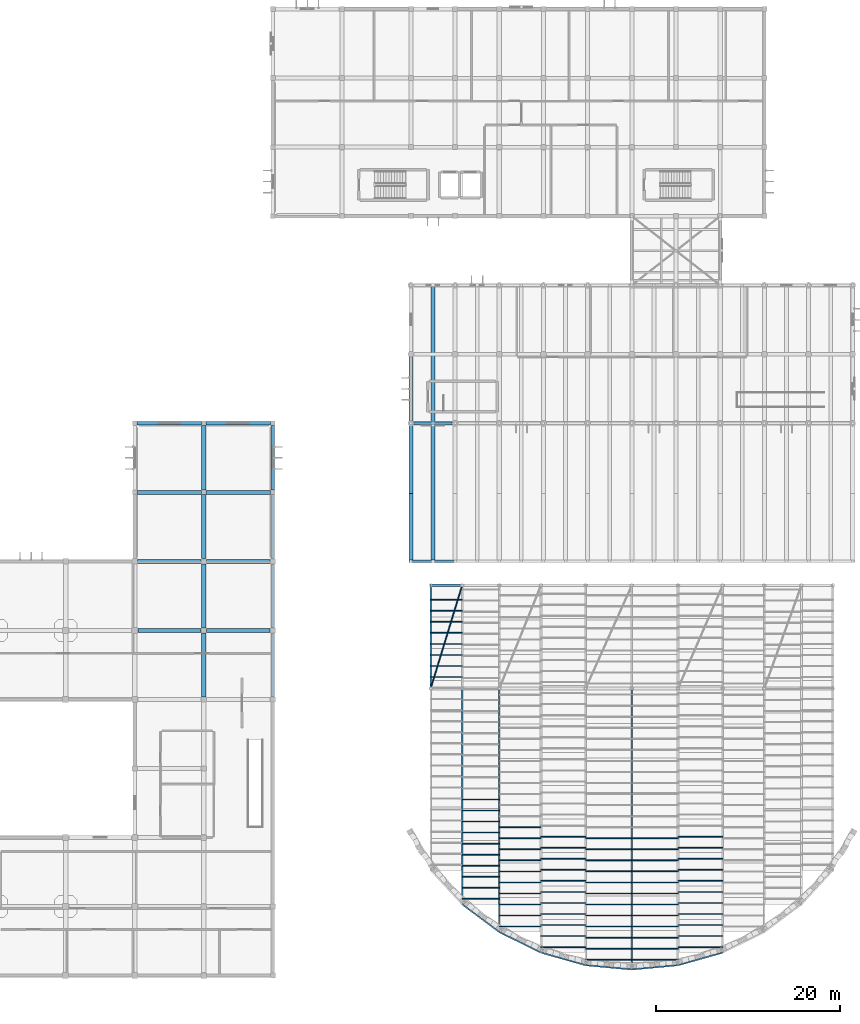
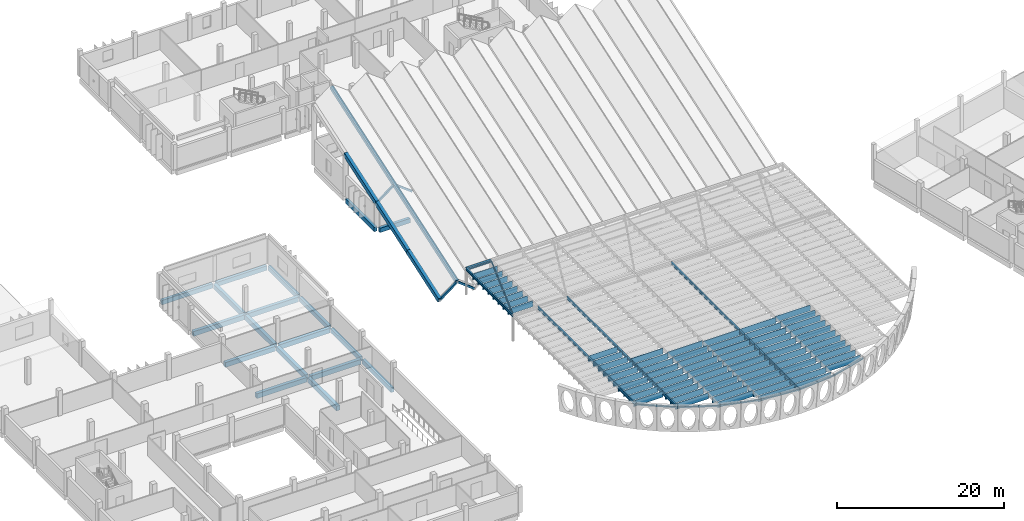
# One storey, part 13 of 47: 85 members, 27 beams.
"""IFC4 building model written with IfcOpenShell, lengths in metres."""

from ifc_helpers import new_model, si_unit, direction, frame, origin, origin_2d, place, context, subcontext, project, spatial, rectangle, hollow_rectangle, hollow_circle, i_section, extrude, material, material_profile, profile_set, type_object, element, save


model = new_model("IFC4")

# Units and contexts
model_context = context("Model", 3, precision=1e-05, world=origin(), true_north=direction((0.0, 1.0)))
body_context = subcontext(model_context, "Body", "Model", "MODEL_VIEW")
ifc_project = project(units=[si_unit("LENGTHUNIT", "METRE"), si_unit("AREAUNIT", "SQUARE_METRE"), si_unit("VOLUMEUNIT", "CUBIC_METRE"), si_unit("PLANEANGLEUNIT", "RADIAN"), si_unit("MASSUNIT", "GRAM", prefix="KILO")], contexts=[model_context])

# Site, building, storey
site_placement = place(None, origin())
site = spatial("IfcSite", under=ifc_project, at=site_placement, CompositionType="ELEMENT")
building_placement = place(site_placement, origin())
building = spatial("IfcBuilding", under=site, at=building_placement, Name="Mawjan Specialist Oncology Clinic", CompositionType="ELEMENT")
storey_placement = place(building_placement, frame((0.0, 0.0, 9.5)))
storey = spatial("IfcBuildingStorey", under=building, at=storey_placement, Name="L02", CompositionType="ELEMENT", Elevation=9.5)

# Beams
ifc_material_1 = material(Name="Concrete C40/50", Category="concrete")
ifc_material_profile_1 = material_profile(ifc_material_1, rectangle(XDim=0.449951171875, YDim=0.699951171875, at=origin_2d()), Name="RC BM 450x700", Category="concrete")
ifc_profile_set_1 = profile_set([ifc_material_profile_1], Name="Concrete C40/50")
beam_type_1 = type_object("IfcBeamType", Name="BM-450x700", PredefinedType="BEAM", material=ifc_profile_set_1)
beam_1_placement = place(storey_placement, frame((30.3349609375, 38.300048828125, -0.64990234375), z_axis=(1.0, 0.0, 0.0), x_axis=(0.0, 1.0, 0.0)))
element("IfcBeam", 1, at=beam_1_placement, inside=storey, type_object=beam_type_1, Name="L02 Collector Beam BM-L02-0666", PredefinedType="BEAM", context=body_context, shape_type="SweptSolid", body=[
    extrude(rectangle(XDim=0.449951171875, YDim=0.699951171875, at=origin_2d()), origin(), (0.0, 0.0, 1.0), 6.880126953125),
])
beam_2_placement = place(storey_placement, frame((37.784912109375, 38.300048828125, -0.64990234375), z_axis=(1.0, 0.0, 0.0), x_axis=(0.0, 1.0, 0.0)))
element("IfcBeam", 2, at=beam_2_placement, inside=storey, type_object=beam_type_1, Name="L02 Collector Beam BM-L02-0667", PredefinedType="BEAM", context=body_context, shape_type="SweptSolid", body=[
    extrude(rectangle(XDim=0.449951171875, YDim=0.699951171875, at=origin_2d()), origin(), (0.0, 0.0, 1.0), 6.93017578125),
])
beam_3_placement = place(storey_placement, frame((30.31005859375, 45.800048828125, -0.64990234375), z_axis=(1.0, 0.0, 0.0), x_axis=(0.0, 1.0, 0.0)))
element("IfcBeam", 3, at=beam_3_placement, inside=storey, type_object=beam_type_1, Name="L02 Collector Beam BM-L02-0672", PredefinedType="BEAM", context=body_context, shape_type="SweptSolid", body=[
    extrude(rectangle(XDim=0.449951171875, YDim=0.699951171875, at=origin_2d()), origin(), (0.0, 0.0, 1.0), 6.905029296875),
])
beam_4_placement = place(storey_placement, frame((37.784912109375, 45.800048828125, -0.64990234375), z_axis=(1.0, 0.0, 0.0), x_axis=(0.0, 1.0, 0.0)))
element("IfcBeam", 4, at=beam_4_placement, inside=storey, type_object=beam_type_1, Name="L02 Collector Beam BM-L02-0673", PredefinedType="BEAM", context=body_context, shape_type="SweptSolid", body=[
    extrude(rectangle(XDim=0.449951171875, YDim=0.699951171875, at=origin_2d()), origin(), (0.0, 0.0, 1.0), 6.93017578125),
])
for number, where, z_axis, x_axis, name in (
    (5, (30.260009765625, 53.300048828125, -0.64990234375), (1.0, 0.0, 0.0), (0.0, 1.0, 0.0), "L02 Collector Beam BM-L02-0676"),
    (6, (37.760009765625, 53.300048828125, -0.64990234375), (1.0, 0.0, 0.0), (0.0, 1.0, 0.0), "L02 Collector Beam BM-L02-0677"),
):
    element("IfcBeam", number, at=place(storey_placement, frame(where, z_axis=z_axis, x_axis=x_axis)), inside=storey, type_object=beam_type_1, Name=name, PredefinedType="BEAM", context=body_context, shape_type="SweptSolid", body=[
        extrude(rectangle(XDim=0.449951171875, YDim=0.699951171875, at=origin_2d()), origin(), (0.0, 0.0, 1.0), 6.97998046875),
    ])
for number, where, z_axis, x_axis, name in (
    (7, (37.5, 31.0849609375, -0.64990234375), (0.0, 1.0, 0.0), (-1.0, 0.0, 0.0), "L02 Collector Beam BM-L02-0793"),
    (8, (37.5, 38.5849609375, -0.64990234375), (0.0, 1.0, 0.0), (-1.0, 0.0, 0.0), "L02 Collector Beam BM-L02-0794"),
):
    element("IfcBeam", number, at=place(storey_placement, frame(where, z_axis=z_axis, x_axis=x_axis)), inside=storey, type_object=beam_type_1, Name=name, PredefinedType="BEAM", context=body_context, shape_type="SweptSolid", body=[
        extrude(rectangle(XDim=0.449951171875, YDim=0.699951171875, at=origin_2d()), origin(), (0.0, 0.0, 1.0), 6.929931640625),
    ])
beam_5_placement = place(storey_placement, frame((37.5, 46.0849609375, -0.64990234375), z_axis=(0.0, 1.0, 0.0), x_axis=(-1.0, 0.0, 0.0)))
element("IfcBeam", 9, at=beam_5_placement, inside=storey, type_object=beam_type_1, Name="L02 Collector Beam BM-L02-0795", PredefinedType="BEAM", context=body_context, shape_type="SweptSolid", body=[
    extrude(rectangle(XDim=0.449951171875, YDim=0.699951171875, at=origin_2d()), origin(), (0.0, 0.0, 1.0), 6.955078125),
])
beam_6_placement = place(storey_placement, frame((37.5, 53.56005859375, -0.64990234375), z_axis=(0.0, 1.0, 0.0), x_axis=(-1.0, 0.0, 0.0)))
element("IfcBeam", 10, at=beam_6_placement, inside=storey, type_object=beam_type_1, Name="L02 Collector Beam BM-L02-0796", PredefinedType="BEAM", context=body_context, shape_type="SweptSolid", body=[
    extrude(rectangle(XDim=0.449951171875, YDim=0.699951171875, at=origin_2d()), origin(), (0.0, 0.0, 1.0), 6.97998046875),
])

# Members
ifc_material_2 = material(Name="Structural steel S355", Category="steel")
ifc_material_profile_2 = material_profile(ifc_material_2, hollow_circle(Radius=0.084228515625, WallThickness=0.008056640625, at=origin_2d()), Name="CHS 168.3x8", Category="steel")
ifc_profile_set_2 = profile_set([ifc_material_profile_2], Name="Structural steel S355")
member_type_1 = type_object("IfcMemberType", Name="BR-168", PredefinedType="BRACE", material=ifc_profile_set_2)
member_1_placement = place(storey_placement, frame((62.152587890625, 32.0, 3.77490234375), z_axis=(0.292116311632, 0.956382800179, 0.0), x_axis=(-0.956382800179, 0.292116311632, 0.0)))
element("IfcMember", 11, at=member_1_placement, inside=storey, type_object=member_type_1, Name="Canopy Wind Brace CB-01", PredefinedType="BRACE", context=body_context, shape_type="SweptSolid", body=[
    extrude(hollow_circle(Radius=0.084228515625, WallThickness=0.008056640625, at=origin_2d()), origin(), (0.0, 0.0, 1.0), 11.710693359375),
])
ifc_material_3 = material(Name="Structural steel S355", Category="steel")
ifc_material_profile_3 = material_profile(ifc_material_3, hollow_rectangle(XDim=0.14990234375, YDim=0.25, WallThickness=0.010009765625, at=origin_2d()), Name="RHS 250x150x10", Category="steel")
ifc_profile_set_3 = profile_set([ifc_material_profile_3], Name="Structural steel S355")
member_type_2 = type_object("IfcMemberType", Name="CH-RHS250", PredefinedType="CHORD", material=ifc_profile_set_3)
member_2_placement = place(storey_placement, frame((65.573486328125, 8.53515625, 3.77490234375), z_axis=(0.801236557809, -0.598347706965, 0.0), x_axis=(0.598347706965, 0.801236557809, 0.0)))
element("IfcMember", 12, at=member_2_placement, inside=storey, type_object=member_type_2, Name="Canopy Edge Tie Chord MEM-CAN-CH-002", PredefinedType="CHORD", context=body_context, shape_type="SweptSolid", body=[
    extrude(hollow_rectangle(XDim=0.14990234375, YDim=0.25, WallThickness=0.010009765625, at=origin_2d()), origin(), (0.0, 0.0, 1.0), 5.03955078125),
])
member_3_placement = place(storey_placement, frame((69.611328125, 5.519775390625, 3.77490234375), z_axis=(0.896884296157, -0.442265258987, 0.0), x_axis=(0.442265258987, 0.896884296157, 0.0)))
element("IfcMember", 13, at=member_3_placement, inside=storey, type_object=member_type_2, Name="Canopy Edge Tie Chord MEM-CAN-CH-003", PredefinedType="CHORD", context=body_context, shape_type="SweptSolid", body=[
    extrude(hollow_rectangle(XDim=0.14990234375, YDim=0.25, WallThickness=0.010009765625, at=origin_2d()), origin(), (0.0, 0.0, 1.0), 5.039306640625),
])
member_4_placement = place(storey_placement, frame((74.131103515625, 3.291015625, 3.77490234375), z_axis=(0.962459735596, -0.271424496605, 0.0), x_axis=(0.271424496605, 0.962459735596, 0.0)))
element("IfcMember", 14, at=member_4_placement, inside=storey, type_object=member_type_2, Name="Canopy Edge Tie Chord MEM-CAN-CH-004", PredefinedType="CHORD", context=body_context, shape_type="SweptSolid", body=[
    extrude(hollow_rectangle(XDim=0.14990234375, YDim=0.25, WallThickness=0.010009765625, at=origin_2d()), origin(), (0.0, 0.0, 1.0), 5.039794921875),
])
for number, where, z_axis, x_axis, name in (
    (15, (78.981689453125, 1.923095703125, 3.77490234375), (0.995803776117, -0.091514149019, 0.0), (0.091514149019, 0.995803776117, 0.0), "Canopy Edge Tie Chord MEM-CAN-CH-005"),
    (16, (84.0, 1.4619140625, 3.77490234375), (0.995803776117, 0.091514149019, 0.0), (-0.091514149019, 0.995803776117, 0.0), "Canopy Edge Tie Chord MEM-CAN-CH-006"),
):
    element("IfcMember", number, at=place(storey_placement, frame(where, z_axis=z_axis, x_axis=x_axis)), inside=storey, type_object=member_type_2, Name=name, PredefinedType="CHORD", context=body_context, shape_type="SweptSolid", body=[
        extrude(hollow_rectangle(XDim=0.14990234375, YDim=0.25, WallThickness=0.010009765625, at=origin_2d()), origin(), (0.0, 0.0, 1.0), 5.03955078125),
    ])
member_5_placement = place(storey_placement, frame((89.018310546875, 1.923095703125, 3.77490234375), z_axis=(0.962459735596, 0.271424496605, 0.0), x_axis=(-0.271424496605, 0.962459735596, 0.0)))
element("IfcMember", 17, at=member_5_placement, inside=storey, type_object=member_type_2, Name="Canopy Edge Tie Chord MEM-CAN-CH-007", PredefinedType="CHORD", context=body_context, shape_type="SweptSolid", body=[
    extrude(hollow_rectangle(XDim=0.14990234375, YDim=0.25, WallThickness=0.010009765625, at=origin_2d()), origin(), (0.0, 0.0, 1.0), 5.039794921875),
])
ifc_material_4 = material(Name="Structural steel S355", Category="steel")
ifc_material_profile_4 = material_profile(ifc_material_4, hollow_rectangle(XDim=0.080078125, YDim=0.85009765625, WallThickness=0.006103515625, at=origin_2d()), Name="LOUVRE 850x80x6", Category="steel")
ifc_profile_set_4 = profile_set([ifc_material_profile_4], Name="Structural steel S355")
member_type_3 = type_object("IfcMemberType", Name="LV-850", PredefinedType="PURLIN", material=ifc_profile_set_4)
for number, where, z_axis, x_axis, name in (
    (18, (62.152587890625, 33.23583984375, 3.47509765625), (1.0, 0.0, 0.0), (0.0, 1.0, 0.0), "Canopy Solar Louvre Blade LV-0018"),
    (19, (62.152587890625, 34.435791015625, 3.47509765625), (1.0, 0.0, 0.0), (0.0, 1.0, 0.0), "Canopy Solar Louvre Blade LV-0019"),
    (20, (62.152587890625, 35.6357421875, 3.47509765625), (1.0, 0.0, 0.0), (0.0, 1.0, 0.0), "Canopy Solar Louvre Blade LV-0020"),
    (21, (62.152587890625, 36.8359375, 3.47509765625), (1.0, 0.0, 0.0), (0.0, 1.0, 0.0), "Canopy Solar Louvre Blade LV-0021"),
    (22, (62.152587890625, 38.035888671875, 3.47509765625), (1.0, 0.0, 0.0), (0.0, 1.0, 0.0), "Canopy Solar Louvre Blade LV-0022"),
    (23, (62.152587890625, 39.23583984375, 3.47509765625), (1.0, 0.0, 0.0), (0.0, 1.0, 0.0), "Canopy Solar Louvre Blade LV-0023"),
    (24, (62.152587890625, 40.435791015625, 3.47509765625), (1.0, 0.0, 0.0), (0.0, 1.0, 0.0), "Canopy Solar Louvre Blade LV-0024"),
    (25, (62.152587890625, 41.6357421875, 3.47509765625), (1.0, 0.0, 0.0), (0.0, 1.0, 0.0), "Canopy Solar Louvre Blade LV-0025"),
):
    element("IfcMember", number, at=place(storey_placement, frame(where, z_axis=z_axis, x_axis=x_axis)), inside=storey, type_object=member_type_3, Name=name, PredefinedType="PURLIN", context=body_context, shape_type="SweptSolid", body=[
        extrude(hollow_rectangle(XDim=0.080078125, YDim=0.85009765625, WallThickness=0.006103515625, at=origin_2d()), origin(), (0.0, 0.0, 1.0), 3.4208984375),
    ])
for number, where, z_axis, x_axis, name in (
    (26, (65.573486328125, 9.13525390625, 3.47509765625), (1.0, 0.0, 0.0), (0.0, 1.0, 0.0), "Canopy Solar Louvre Blade LV-0026"),
    (27, (65.573486328125, 10.335205078125, 3.47509765625), (1.0, 0.0, 0.0), (0.0, 1.0, 0.0), "Canopy Solar Louvre Blade LV-0027"),
    (28, (65.573486328125, 11.53515625, 3.47509765625), (1.0, 0.0, 0.0), (0.0, 1.0, 0.0), "Canopy Solar Louvre Blade LV-0028"),
    (29, (65.573486328125, 12.735107421875, 3.47509765625), (1.0, 0.0, 0.0), (0.0, 1.0, 0.0), "Canopy Solar Louvre Blade LV-0029"),
    (30, (65.573486328125, 13.935302734375, 3.47509765625), (1.0, 0.0, 0.0), (0.0, 1.0, 0.0), "Canopy Solar Louvre Blade LV-0030"),
    (31, (65.573486328125, 15.13525390625, 3.47509765625), (1.0, 0.0, 0.0), (0.0, 1.0, 0.0), "Canopy Solar Louvre Blade LV-0031"),
    (32, (65.573486328125, 16.335205078125, 3.47509765625), (1.0, 0.0, 0.0), (0.0, 1.0, 0.0), "Canopy Solar Louvre Blade LV-0032"),
    (33, (65.573486328125, 17.53515625, 3.47509765625), (1.0, 0.0, 0.0), (0.0, 1.0, 0.0), "Canopy Solar Louvre Blade LV-0033"),
    (34, (65.573486328125, 18.735107421875, 3.47509765625), (1.0, 0.0, 0.0), (0.0, 1.0, 0.0), "Canopy Solar Louvre Blade LV-0034"),
    (35, (65.573486328125, 19.935302734375, 3.47509765625), (1.0, 0.0, 0.0), (0.0, 1.0, 0.0), "Canopy Solar Louvre Blade LV-0035"),
):
    element("IfcMember", number, at=place(storey_placement, frame(where, z_axis=z_axis, x_axis=x_axis)), inside=storey, type_object=member_type_3, Name=name, PredefinedType="PURLIN", context=body_context, shape_type="SweptSolid", body=[
        extrude(hollow_rectangle(XDim=0.080078125, YDim=0.85009765625, WallThickness=0.006103515625, at=origin_2d()), origin(), (0.0, 0.0, 1.0), 4.037841796875),
    ])
for number, where, z_axis, x_axis, name in (
    (36, (69.611328125, 6.119873046875, 3.47509765625), (1.0, 0.0, 0.0), (0.0, 1.0, 0.0), "Canopy Solar Louvre Blade LV-0055"),
    (37, (69.611328125, 7.31982421875, 3.47509765625), (1.0, 0.0, 0.0), (0.0, 1.0, 0.0), "Canopy Solar Louvre Blade LV-0056"),
    (38, (69.611328125, 8.519775390625, 3.47509765625), (1.0, 0.0, 0.0), (0.0, 1.0, 0.0), "Canopy Solar Louvre Blade LV-0057"),
    (39, (69.611328125, 9.719970703125, 3.47509765625), (1.0, 0.0, 0.0), (0.0, 1.0, 0.0), "Canopy Solar Louvre Blade LV-0058"),
    (40, (69.611328125, 10.919921875, 3.47509765625), (1.0, 0.0, 0.0), (0.0, 1.0, 0.0), "Canopy Solar Louvre Blade LV-0059"),
    (41, (69.611328125, 12.119873046875, 3.47509765625), (1.0, 0.0, 0.0), (0.0, 1.0, 0.0), "Canopy Solar Louvre Blade LV-0060"),
    (42, (69.611328125, 13.31982421875, 3.47509765625), (1.0, 0.0, 0.0), (0.0, 1.0, 0.0), "Canopy Solar Louvre Blade LV-0061"),
    (43, (69.611328125, 14.519775390625, 3.47509765625), (1.0, 0.0, 0.0), (0.0, 1.0, 0.0), "Canopy Solar Louvre Blade LV-0062"),
    (44, (69.611328125, 15.719970703125, 3.47509765625), (1.0, 0.0, 0.0), (0.0, 1.0, 0.0), "Canopy Solar Louvre Blade LV-0063"),
    (45, (69.611328125, 16.919921875, 3.47509765625), (1.0, 0.0, 0.0), (0.0, 1.0, 0.0), "Canopy Solar Louvre Blade LV-0064"),
):
    element("IfcMember", number, at=place(storey_placement, frame(where, z_axis=z_axis, x_axis=x_axis)), inside=storey, type_object=member_type_3, Name=name, PredefinedType="PURLIN", context=body_context, shape_type="SweptSolid", body=[
        extrude(hollow_rectangle(XDim=0.080078125, YDim=0.85009765625, WallThickness=0.006103515625, at=origin_2d()), origin(), (0.0, 0.0, 1.0), 4.519775390625),
    ])
for number, where, z_axis, x_axis, name in (
    (46, (74.131103515625, 3.890869140625, 3.47509765625), (1.0, 0.0, 0.0), (0.0, 1.0, 0.0), "Canopy Solar Louvre Blade LV-0086"),
    (47, (74.131103515625, 5.0908203125, 3.47509765625), (1.0, 0.0, 0.0), (0.0, 1.0, 0.0), "Canopy Solar Louvre Blade LV-0087"),
    (48, (74.131103515625, 6.291015625, 3.47509765625), (1.0, 0.0, 0.0), (0.0, 1.0, 0.0), "Canopy Solar Louvre Blade LV-0088"),
    (49, (74.131103515625, 7.490966796875, 3.47509765625), (1.0, 0.0, 0.0), (0.0, 1.0, 0.0), "Canopy Solar Louvre Blade LV-0089"),
    (50, (74.131103515625, 8.69091796875, 3.47509765625), (1.0, 0.0, 0.0), (0.0, 1.0, 0.0), "Canopy Solar Louvre Blade LV-0090"),
    (51, (74.131103515625, 9.890869140625, 3.47509765625), (1.0, 0.0, 0.0), (0.0, 1.0, 0.0), "Canopy Solar Louvre Blade LV-0091"),
    (52, (74.131103515625, 11.0908203125, 3.47509765625), (1.0, 0.0, 0.0), (0.0, 1.0, 0.0), "Canopy Solar Louvre Blade LV-0092"),
    (53, (74.131103515625, 12.291015625, 3.47509765625), (1.0, 0.0, 0.0), (0.0, 1.0, 0.0), "Canopy Solar Louvre Blade LV-0093"),
    (54, (74.131103515625, 13.490966796875, 3.47509765625), (1.0, 0.0, 0.0), (0.0, 1.0, 0.0), "Canopy Solar Louvre Blade LV-0094"),
    (55, (74.131103515625, 14.69091796875, 3.47509765625), (1.0, 0.0, 0.0), (0.0, 1.0, 0.0), "Canopy Solar Louvre Blade LV-0095"),
    (56, (74.131103515625, 15.890869140625, 3.47509765625), (1.0, 0.0, 0.0), (0.0, 1.0, 0.0), "Canopy Solar Louvre Blade LV-0096"),
):
    element("IfcMember", number, at=place(storey_placement, frame(where, z_axis=z_axis, x_axis=x_axis)), inside=storey, type_object=member_type_3, Name=name, PredefinedType="PURLIN", context=body_context, shape_type="SweptSolid", body=[
        extrude(hollow_rectangle(XDim=0.080078125, YDim=0.85009765625, WallThickness=0.006103515625, at=origin_2d()), origin(), (0.0, 0.0, 1.0), 4.8505859375),
    ])
for number, where, z_axis, x_axis, name in (
    (57, (78.981689453125, 2.52294921875, 3.47509765625), (1.0, 0.0, 0.0), (0.0, 1.0, 0.0), "Canopy Solar Louvre Blade LV-0119"),
    (58, (78.981689453125, 3.722900390625, 3.47509765625), (1.0, 0.0, 0.0), (0.0, 1.0, 0.0), "Canopy Solar Louvre Blade LV-0120"),
    (59, (78.981689453125, 4.923095703125, 3.47509765625), (1.0, 0.0, 0.0), (0.0, 1.0, 0.0), "Canopy Solar Louvre Blade LV-0121"),
    (60, (78.981689453125, 6.123046875, 3.47509765625), (1.0, 0.0, 0.0), (0.0, 1.0, 0.0), "Canopy Solar Louvre Blade LV-0122"),
    (61, (78.981689453125, 7.322998046875, 3.47509765625), (1.0, 0.0, 0.0), (0.0, 1.0, 0.0), "Canopy Solar Louvre Blade LV-0123"),
    (62, (78.981689453125, 8.52294921875, 3.47509765625), (1.0, 0.0, 0.0), (0.0, 1.0, 0.0), "Canopy Solar Louvre Blade LV-0124"),
    (63, (78.981689453125, 9.722900390625, 3.47509765625), (1.0, 0.0, 0.0), (0.0, 1.0, 0.0), "Canopy Solar Louvre Blade LV-0125"),
    (64, (78.981689453125, 10.923095703125, 3.47509765625), (1.0, 0.0, 0.0), (0.0, 1.0, 0.0), "Canopy Solar Louvre Blade LV-0126"),
    (65, (78.981689453125, 12.123046875, 3.47509765625), (1.0, 0.0, 0.0), (0.0, 1.0, 0.0), "Canopy Solar Louvre Blade LV-0127"),
    (66, (78.981689453125, 13.322998046875, 3.47509765625), (1.0, 0.0, 0.0), (0.0, 1.0, 0.0), "Canopy Solar Louvre Blade LV-0128"),
    (67, (78.981689453125, 14.52294921875, 3.47509765625), (1.0, 0.0, 0.0), (0.0, 1.0, 0.0), "Canopy Solar Louvre Blade LV-0129"),
    (68, (78.981689453125, 15.722900390625, 3.47509765625), (1.0, 0.0, 0.0), (0.0, 1.0, 0.0), "Canopy Solar Louvre Blade LV-0130"),
    (69, (84.0, 2.52294921875, 3.47509765625), (1.0, 0.0, 0.0), (0.0, 1.0, 0.0), "Canopy Solar Louvre Blade LV-0153"),
    (70, (84.0, 3.722900390625, 3.47509765625), (1.0, 0.0, 0.0), (0.0, 1.0, 0.0), "Canopy Solar Louvre Blade LV-0154"),
    (71, (84.0, 4.923095703125, 3.47509765625), (1.0, 0.0, 0.0), (0.0, 1.0, 0.0), "Canopy Solar Louvre Blade LV-0155"),
    (72, (84.0, 6.123046875, 3.47509765625), (1.0, 0.0, 0.0), (0.0, 1.0, 0.0), "Canopy Solar Louvre Blade LV-0156"),
    (73, (84.0, 7.322998046875, 3.47509765625), (1.0, 0.0, 0.0), (0.0, 1.0, 0.0), "Canopy Solar Louvre Blade LV-0157"),
    (74, (84.0, 8.52294921875, 3.47509765625), (1.0, 0.0, 0.0), (0.0, 1.0, 0.0), "Canopy Solar Louvre Blade LV-0158"),
    (75, (84.0, 9.722900390625, 3.47509765625), (1.0, 0.0, 0.0), (0.0, 1.0, 0.0), "Canopy Solar Louvre Blade LV-0159"),
    (76, (84.0, 10.923095703125, 3.47509765625), (1.0, 0.0, 0.0), (0.0, 1.0, 0.0), "Canopy Solar Louvre Blade LV-0160"),
    (77, (84.0, 12.123046875, 3.47509765625), (1.0, 0.0, 0.0), (0.0, 1.0, 0.0), "Canopy Solar Louvre Blade LV-0161"),
    (78, (84.0, 13.322998046875, 3.47509765625), (1.0, 0.0, 0.0), (0.0, 1.0, 0.0), "Canopy Solar Louvre Blade LV-0162"),
    (79, (84.0, 14.52294921875, 3.47509765625), (1.0, 0.0, 0.0), (0.0, 1.0, 0.0), "Canopy Solar Louvre Blade LV-0163"),
    (80, (84.0, 15.722900390625, 3.47509765625), (1.0, 0.0, 0.0), (0.0, 1.0, 0.0), "Canopy Solar Louvre Blade LV-0164"),
):
    element("IfcMember", number, at=place(storey_placement, frame(where, z_axis=z_axis, x_axis=x_axis)), inside=storey, type_object=member_type_3, Name=name, PredefinedType="PURLIN", context=body_context, shape_type="SweptSolid", body=[
        extrude(hollow_rectangle(XDim=0.080078125, YDim=0.85009765625, WallThickness=0.006103515625, at=origin_2d()), origin(), (0.0, 0.0, 1.0), 5.018310546875),
    ])
for number, where, z_axis, x_axis, name in (
    (81, (89.018310546875, 3.890869140625, 3.47509765625), (1.0, 0.0, 0.0), (0.0, 1.0, 0.0), "Canopy Solar Louvre Blade LV-0187"),
    (82, (89.018310546875, 5.0908203125, 3.47509765625), (1.0, 0.0, 0.0), (0.0, 1.0, 0.0), "Canopy Solar Louvre Blade LV-0188"),
    (83, (89.018310546875, 6.291015625, 3.47509765625), (1.0, 0.0, 0.0), (0.0, 1.0, 0.0), "Canopy Solar Louvre Blade LV-0189"),
    (84, (89.018310546875, 7.490966796875, 3.47509765625), (1.0, 0.0, 0.0), (0.0, 1.0, 0.0), "Canopy Solar Louvre Blade LV-0190"),
    (85, (89.018310546875, 8.69091796875, 3.47509765625), (1.0, 0.0, 0.0), (0.0, 1.0, 0.0), "Canopy Solar Louvre Blade LV-0191"),
    (86, (89.018310546875, 9.890869140625, 3.47509765625), (1.0, 0.0, 0.0), (0.0, 1.0, 0.0), "Canopy Solar Louvre Blade LV-0192"),
    (87, (89.018310546875, 11.0908203125, 3.47509765625), (1.0, 0.0, 0.0), (0.0, 1.0, 0.0), "Canopy Solar Louvre Blade LV-0193"),
    (88, (89.018310546875, 12.291015625, 3.47509765625), (1.0, 0.0, 0.0), (0.0, 1.0, 0.0), "Canopy Solar Louvre Blade LV-0194"),
    (89, (89.018310546875, 13.490966796875, 3.47509765625), (1.0, 0.0, 0.0), (0.0, 1.0, 0.0), "Canopy Solar Louvre Blade LV-0195"),
    (90, (89.018310546875, 14.69091796875, 3.47509765625), (1.0, 0.0, 0.0), (0.0, 1.0, 0.0), "Canopy Solar Louvre Blade LV-0196"),
    (91, (89.018310546875, 15.890869140625, 3.47509765625), (1.0, 0.0, 0.0), (0.0, 1.0, 0.0), "Canopy Solar Louvre Blade LV-0197"),
):
    element("IfcMember", number, at=place(storey_placement, frame(where, z_axis=z_axis, x_axis=x_axis)), inside=storey, type_object=member_type_3, Name=name, PredefinedType="PURLIN", context=body_context, shape_type="SweptSolid", body=[
        extrude(hollow_rectangle(XDim=0.080078125, YDim=0.85009765625, WallThickness=0.006103515625, at=origin_2d()), origin(), (0.0, 0.0, 1.0), 4.8505859375),
    ])

# Beams
ifc_material_5 = material(Name="Concrete C45/55", Category="concrete")
ifc_material_profile_5 = material_profile(ifc_material_5, rectangle(XDim=0.39990234375, YDim=0.5, at=origin_2d()), Name="RC CHORD 400x500", Category="concrete")
ifc_profile_set_5 = profile_set([ifc_material_profile_5], Name="Concrete C45/55")
beam_type_2 = type_object("IfcBeamType", Name="RB-FP", PredefinedType="BEAM", material=ifc_profile_set_5)
beam_7_placement = place(storey_placement, frame((62.39990234375, 45.800048828125, 0.179931640625), z_axis=(0.0, 0.946773214459, 0.321901351944), x_axis=(-1.0, 0.0, 0.0)))
element("IfcBeam", 92, at=beam_7_placement, inside=storey, type_object=beam_type_2, Name="Folded-Plate Roof Ridge Chord RB-01", PredefinedType="BEAM", context=body_context, shape_type="SweptSolid", body=[
    extrude(rectangle(XDim=0.39990234375, YDim=0.5, at=origin_2d()), origin(), (0.0, 0.0, 1.0), 31.6865234375),
])
ifc_material_6 = material(Name="Structural steel S355", Category="steel")
ifc_material_profile_6 = material_profile(ifc_material_6, i_section(OverallWidth=0.300048828125, OverallDepth=0.35009765625, WebThickness=0.010009765625, FlangeThickness=0.017578125, FilletRadius=0.027099609375, at=origin_2d()), Name="HEA 360", Category="steel")
ifc_profile_set_6 = profile_set([ifc_material_profile_6], Name="Structural steel S355")
beam_type_3 = type_object("IfcBeamType", Name="SB-HEA360", PredefinedType="BEAM", material=ifc_profile_set_6)
beam_8_placement = place(storey_placement, frame((62.152587890625, 43.199951171875, 3.699951171875), z_axis=(1.0, 0.0, 0.0), x_axis=(0.0, 1.0, 0.0)))
element("IfcBeam", 93, at=beam_8_placement, inside=storey, type_object=beam_type_3, Name="Courtyard Canopy North Header 62", PredefinedType="BEAM", context=body_context, shape_type="SweptSolid", body=[
    extrude(i_section(OverallWidth=0.300048828125, OverallDepth=0.35009765625, WebThickness=0.010009765625, FlangeThickness=0.017578125, FilletRadius=0.027099609375, at=origin_2d()), origin(), (0.0, 0.0, 1.0), 3.4208984375),
])
ifc_material_7 = material(Name="Structural steel S355", Category="steel")
ifc_material_profile_7 = material_profile(ifc_material_7, i_section(OverallWidth=0.179931640625, OverallDepth=0.39990234375, WebThickness=0.008544921875, FlangeThickness=0.013427734375, FilletRadius=0.02099609375, at=origin_2d()), Name="IPE 400", Category="steel")
ifc_profile_set_7 = profile_set([ifc_material_profile_7], Name="Structural steel S355")
beam_type_4 = type_object("IfcBeamType", Name="SB-IPE400", PredefinedType="BEAM", material=ifc_profile_set_7)
beam_9_placement = place(storey_placement, frame((62.152587890625, 32.0, 3.699951171875), z_axis=(0.0, 1.0, 0.0), x_axis=(-1.0, 0.0, 0.0)))
element("IfcBeam", 94, at=beam_9_placement, inside=storey, type_object=beam_type_4, Name="Courtyard Canopy North Rafter CRN-01", PredefinedType="BEAM", context=body_context, shape_type="SweptSolid", body=[
    extrude(i_section(OverallWidth=0.179931640625, OverallDepth=0.39990234375, WebThickness=0.008544921875, FlangeThickness=0.013427734375, FilletRadius=0.02099609375, at=origin_2d()), origin(), (0.0, 0.0, 1.0), 11.199951171875),
])
beam_10_placement = place(storey_placement, frame((65.573486328125, 8.53515625, 3.699951171875), z_axis=(0.0, 1.0, 0.0), x_axis=(-1.0, 0.0, 0.0)))
element("IfcBeam", 95, at=beam_10_placement, inside=storey, type_object=beam_type_4, Name="Courtyard Canopy South Rafter CRS-02", PredefinedType="BEAM", context=body_context, shape_type="SweptSolid", body=[
    extrude(i_section(OverallWidth=0.179931640625, OverallDepth=0.39990234375, WebThickness=0.008544921875, FlangeThickness=0.013427734375, FilletRadius=0.02099609375, at=origin_2d()), origin(), (0.0, 0.0, 1.0), 23.46484375),
])
beam_11_placement = place(storey_placement, frame((69.611328125, 5.519775390625, 3.699951171875), z_axis=(0.0, 1.0, 0.0), x_axis=(-1.0, 0.0, 0.0)))
element("IfcBeam", 96, at=beam_11_placement, inside=storey, type_object=beam_type_4, Name="Courtyard Canopy South Rafter CRS-03", PredefinedType="BEAM", context=body_context, shape_type="SweptSolid", body=[
    extrude(i_section(OverallWidth=0.179931640625, OverallDepth=0.39990234375, WebThickness=0.008544921875, FlangeThickness=0.013427734375, FilletRadius=0.02099609375, at=origin_2d()), origin(), (0.0, 0.0, 1.0), 26.480224609375),
])
beam_12_placement = place(storey_placement, frame((84.0, 1.4619140625, 3.699951171875), z_axis=(0.0, 1.0, 0.0), x_axis=(-1.0, 0.0, 0.0)))
element("IfcBeam", 97, at=beam_12_placement, inside=storey, type_object=beam_type_4, Name="Courtyard Canopy South Rafter CRS-06", PredefinedType="BEAM", context=body_context, shape_type="SweptSolid", body=[
    extrude(i_section(OverallWidth=0.179931640625, OverallDepth=0.39990234375, WebThickness=0.008544921875, FlangeThickness=0.013427734375, FilletRadius=0.02099609375, at=origin_2d()), origin(), (0.0, 0.0, 1.0), 30.5380859375),
])
ifc_material_8 = material(Name="Concrete C45/55", Category="concrete")
ifc_material_profile_8 = material_profile(ifc_material_8, rectangle(XDim=0.39990234375, YDim=0.64990234375, at=origin_2d()), Name="RC BM 400x650", Category="concrete")
ifc_profile_set_8 = profile_set([ifc_material_profile_8], Name="Concrete C45/55")
beam_type_5 = type_object("IfcBeamType", Name="SP-400x650", PredefinedType="SPANDREL", material=ifc_profile_set_8)
for number, where, z_axis, x_axis, name in (
    (98, (30.260009765625, 60.800048828125, -0.625), (1.0, 0.0, 0.0), (0.0, 1.0, 0.0), "L02 Spandrel Beam BM-L02-0680"),
    (99, (37.760009765625, 60.800048828125, -0.625), (1.0, 0.0, 0.0), (0.0, 1.0, 0.0), "L02 Spandrel Beam BM-L02-0681"),
):
    element("IfcBeam", number, at=place(storey_placement, frame(where, z_axis=z_axis, x_axis=x_axis)), inside=storey, type_object=beam_type_5, Name=name, PredefinedType="SPANDREL", context=body_context, shape_type="SweptSolid", body=[
        extrude(rectangle(XDim=0.39990234375, YDim=0.64990234375, at=origin_2d()), origin(), (0.0, 0.0, 1.0), 6.97998046875),
    ])
beam_13_placement = place(storey_placement, frame((60.31005859375, 60.800048828125, -0.625), z_axis=(1.0, 0.0, 0.0), x_axis=(0.0, 1.0, 0.0)))
element("IfcBeam", 100, at=beam_13_placement, inside=storey, type_object=beam_type_5, Name="L02 Spandrel Beam BM-L02-0682", PredefinedType="SPANDREL", context=body_context, shape_type="SweptSolid", body=[
    extrude(rectangle(XDim=0.39990234375, YDim=0.64990234375, at=origin_2d()), origin(), (0.0, 0.0, 1.0), 4.179931640625),
])
for number, where, z_axis, x_axis, name in (
    (101, (45.0, 31.0849609375, -0.625), (0.0, 1.0, 0.0), (-1.0, 0.0, 0.0), "L02 Spandrel Beam BM-L02-0798"),
    (102, (45.0, 38.5849609375, -0.625), (0.0, 1.0, 0.0), (-1.0, 0.0, 0.0), "L02 Spandrel Beam BM-L02-0799"),
):
    element("IfcBeam", number, at=place(storey_placement, frame(where, z_axis=z_axis, x_axis=x_axis)), inside=storey, type_object=beam_type_5, Name=name, PredefinedType="SPANDREL", context=body_context, shape_type="SweptSolid", body=[
        extrude(rectangle(XDim=0.39990234375, YDim=0.64990234375, at=origin_2d()), origin(), (0.0, 0.0, 1.0), 6.929931640625),
    ])
beam_14_placement = place(storey_placement, frame((45.0, 46.0849609375, -0.625), z_axis=(0.0, 1.0, 0.0), x_axis=(-1.0, 0.0, 0.0)))
element("IfcBeam", 103, at=beam_14_placement, inside=storey, type_object=beam_type_5, Name="L02 Spandrel Beam BM-L02-0800", PredefinedType="SPANDREL", context=body_context, shape_type="SweptSolid", body=[
    extrude(rectangle(XDim=0.39990234375, YDim=0.64990234375, at=origin_2d()), origin(), (0.0, 0.0, 1.0), 6.955078125),
])
beam_15_placement = place(storey_placement, frame((45.0, 53.56005859375, -0.625), z_axis=(0.0, 1.0, 0.0), x_axis=(-1.0, 0.0, 0.0)))
element("IfcBeam", 104, at=beam_15_placement, inside=storey, type_object=beam_type_5, Name="L02 Spandrel Beam BM-L02-0801", PredefinedType="SPANDREL", context=body_context, shape_type="SweptSolid", body=[
    extrude(rectangle(XDim=0.39990234375, YDim=0.64990234375, at=origin_2d()), origin(), (0.0, 0.0, 1.0), 6.97998046875),
])
beam_16_placement = place(storey_placement, frame((60.0, 61.110107421875, -0.625), z_axis=(0.0, 1.0, 0.0), x_axis=(-1.0, 0.0, 0.0)))
element("IfcBeam", 105, at=beam_16_placement, inside=storey, type_object=beam_type_5, Name="L02 Spandrel Beam BM-L02-0808", PredefinedType="SPANDREL", context=body_context, shape_type="SweptSolid", body=[
    extrude(rectangle(XDim=0.39990234375, YDim=0.64990234375, at=origin_2d()), origin(), (0.0, 0.0, 1.0), 6.8798828125),
])

# Members
ifc_material_9 = material(Name="Structural steel S355", Category="steel")
ifc_material_profile_9 = material_profile(ifc_material_9, hollow_rectangle(XDim=0.25, YDim=0.25, WallThickness=0.011962890625, at=origin_2d()), Name="SHS 250x250x12", Category="steel")
ifc_profile_set_9 = profile_set([ifc_material_profile_9], Name="Structural steel S355")
member_type_4 = type_object("IfcMemberType", Name="ST-SHS250", PredefinedType="STRUT", material=ifc_profile_set_9)
member_6_placement = place(storey_placement, frame((60.0, 45.800048828125, -1.659912109375), z_axis=(0.793619355454, 0.0, 0.608414594375), x_axis=(0.0, 1.0, 0.0)))
element("IfcMember", 106, at=member_6_placement, inside=storey, type_object=member_type_4, Name="Folded-Plate S Gable Strut 1A", PredefinedType="STRUT", context=body_context, shape_type="SweptSolid", body=[
    extrude(hollow_rectangle(XDim=0.25, YDim=0.25, WallThickness=0.011962890625, at=origin_2d()), origin(), (0.0, 0.0, 1.0), 3.02392578125),
])
for number, where, z_axis, x_axis, name in (
    (107, (64.800048828125, 45.800048828125, -1.659912109375), (-0.793649237907, 0.0, 0.608375613556), (0.0, -1.0, 0.0), "Folded-Plate S Gable Strut 1B"),
    (108, (60.0, 60.800048828125, 3.43994140625), (0.793580373158, 0.0, 0.608465439724), (0.0, 1.0, 0.0), "Folded-Plate M Gable Strut 1A"),
):
    element("IfcMember", number, at=place(storey_placement, frame(where, z_axis=z_axis, x_axis=x_axis)), inside=storey, type_object=member_type_4, Name=name, PredefinedType="STRUT", context=body_context, shape_type="SweptSolid", body=[
        extrude(hollow_rectangle(XDim=0.25, YDim=0.25, WallThickness=0.011962890625, at=origin_2d()), origin(), (0.0, 0.0, 1.0), 3.024169921875),
    ])
member_7_placement = place(storey_placement, frame((64.800048828125, 60.800048828125, 3.43994140625), z_axis=(-0.793610259137, 0.0, 0.608426459477), x_axis=(0.0, -1.0, 0.0)))
element("IfcMember", 109, at=member_7_placement, inside=storey, type_object=member_type_4, Name="Folded-Plate M Gable Strut 1B", PredefinedType="STRUT", context=body_context, shape_type="SweptSolid", body=[
    extrude(hollow_rectangle(XDim=0.25, YDim=0.25, WallThickness=0.011962890625, at=origin_2d()), origin(), (0.0, 0.0, 1.0), 3.0244140625),
])

# Beams
ifc_material_10 = material(Name="Concrete C45/55", Category="concrete")
ifc_material_profile_10 = material_profile(ifc_material_10, rectangle(XDim=0.449951171875, YDim=0.64990234375, at=origin_2d()), Name="RC VALLEY 450x650", Category="concrete")
ifc_profile_set_10 = profile_set([ifc_material_profile_10], Name="Concrete C45/55")
beam_type_6 = type_object("IfcBeamType", Name="VB-FP", PredefinedType="BEAM", material=ifc_profile_set_10)
for number, where, z_axis, x_axis, name in (
    (110, (60.0, 45.800048828125, -1.659912109375), (0.0, 0.946780258859, 0.321880632276), (-1.0, 0.0, 0.0), "Folded-Plate Roof Valley Chord VB-01-1"),
    (111, (60.0, 53.300048828125, 0.889892578125), (0.0, 0.946770866248, 0.321908258397), (-1.0, 0.0, 0.0), "Folded-Plate Roof Valley Chord VB-01-2"),
    (112, (60.0, 60.800048828125, 3.43994140625), (0.0, 0.946770866248, 0.321908258397), (-1.0, 0.0, 0.0), "Folded-Plate Roof Valley Chord VB-01-3"),
):
    element("IfcBeam", number, at=place(storey_placement, frame(where, z_axis=z_axis, x_axis=x_axis)), inside=storey, type_object=beam_type_6, Name=name, PredefinedType="BEAM", context=body_context, shape_type="SweptSolid", body=[
        extrude(rectangle(XDim=0.449951171875, YDim=0.64990234375, at=origin_2d()), origin(), (0.0, 0.0, 1.0), 7.921630859375),
    ])

save(model, "model.ifc")
